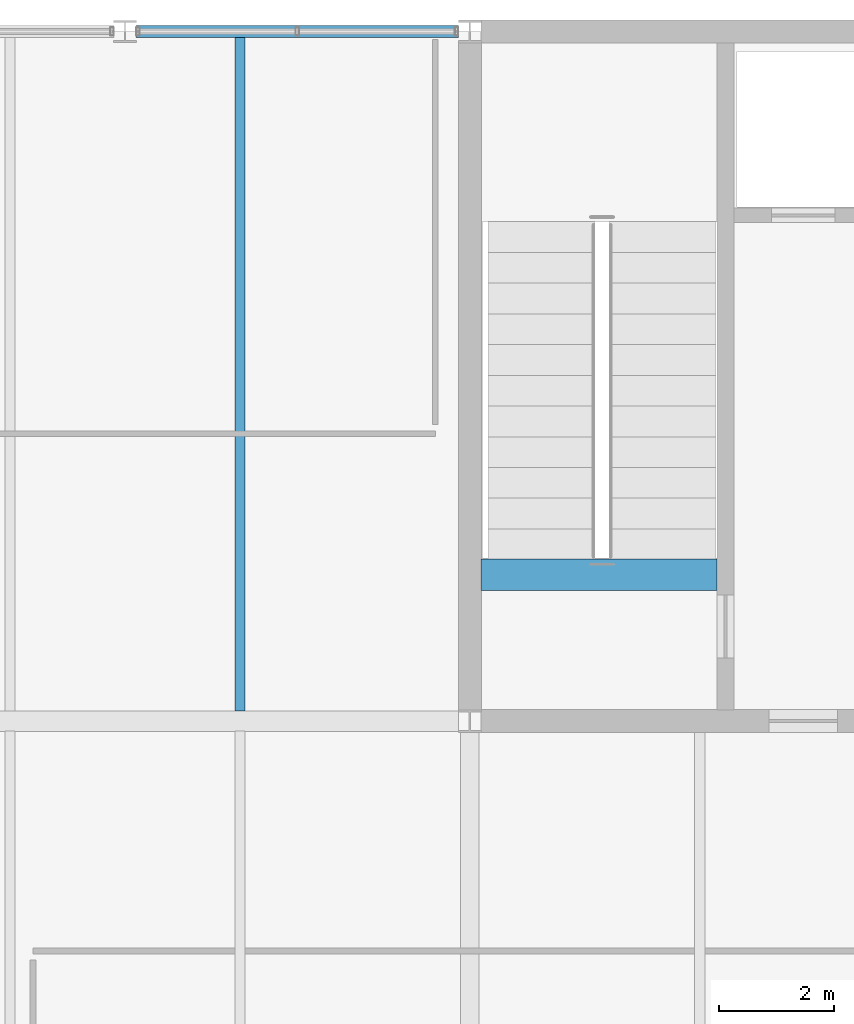
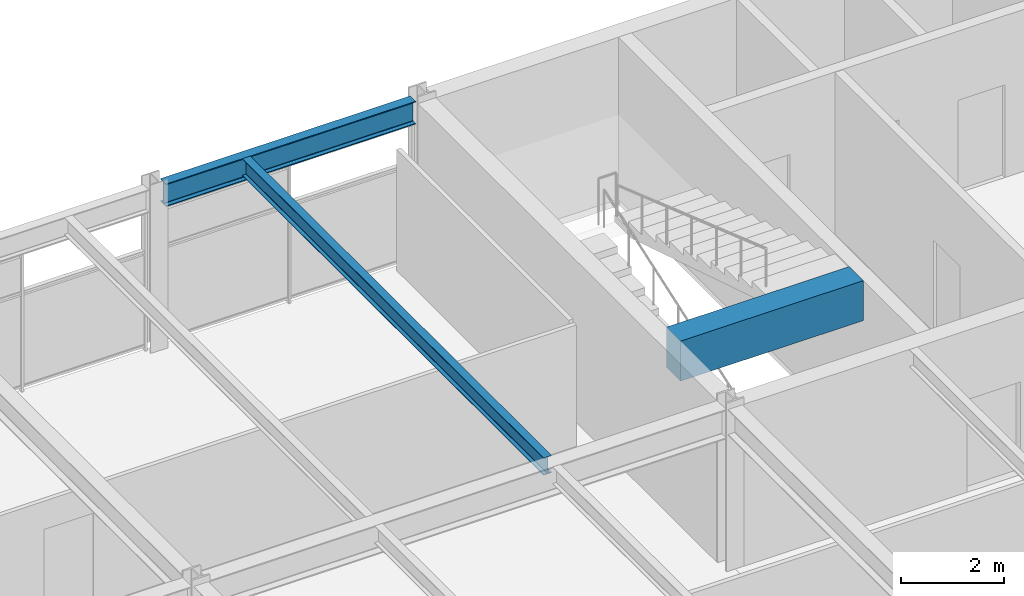
# One storey, part 36 of 52: 3 beams.
"""IFC4 building model written with IfcOpenShell, lengths in metres."""

from ifc_helpers import new_model, si_unit, direction, frame, origin, origin_2d, place, context, subcontext, project, spatial, rectangle, i_section, extrude, material, material_profile, profile_set, type_object, element, save


model = new_model("IFC4")

# Units and contexts
model_context = context("Model", 3, precision=1e-05, world=origin(), true_north=direction((0.0, 1.0)))
body_context = subcontext(model_context, "Body", "Model", "MODEL_VIEW")
ifc_project = project(units=[si_unit("LENGTHUNIT", "METRE"), si_unit("AREAUNIT", "SQUARE_METRE"), si_unit("VOLUMEUNIT", "CUBIC_METRE"), si_unit("PLANEANGLEUNIT", "RADIAN"), si_unit("MASSUNIT", "GRAM", prefix="KILO")], contexts=[model_context])

# Site, building, storey
site_placement = place(None, origin())
site = spatial("IfcSite", under=ifc_project, at=site_placement, CompositionType="ELEMENT")
building_placement = place(site_placement, origin())
building = spatial("IfcBuilding", under=site, at=building_placement, Name="Girod Span Mobility Hub", CompositionType="ELEMENT")
storey_placement = place(building_placement, frame((0.0, 0.0, 45.60009765625)))
storey = spatial("IfcBuildingStorey", under=building, at=storey_placement, Name="L11", CompositionType="ELEMENT", Elevation=45.60009765625)

# Beams
ifc_material_1 = material(Name="Concrete C40/50", Category="concrete")
ifc_material_profile_1 = material_profile(ifc_material_1, rectangle(XDim=0.550048828125, YDim=0.949951171875, at=origin_2d()), Name="RK-550X950")
ifc_profile_set_1 = profile_set([ifc_material_profile_1], Name="Concrete C40/50")
beam_type_1 = type_object("IfcBeamType", Name="BM-RK-550X950", PredefinedType="BEAM", material=ifc_profile_set_1)
beam_1_placement = place(storey_placement, frame((108.197021484375, 59.550048828125, 3.364990234375), z_axis=(1.0, 0.0, 0.0), x_axis=(0.0, 1.0, 0.0)))
element("IfcBeam", 1, at=beam_1_placement, inside=storey, type_object=beam_type_1, Name="Stair ST-2 Landing Header Beam L11", PredefinedType="BEAM", context=body_context, shape_type="SweptSolid", body=[
    extrude(rectangle(XDim=0.550048828125, YDim=0.949951171875, at=origin_2d()), origin(), (0.0, 0.0, 1.0), 4.10595703125),
])
ifc_material_2 = material(Name="Steel A992 Grade 50", Category="steel")
ifc_material_profile_2 = material_profile(ifc_material_2, i_section(OverallWidth=0.178955078125, OverallDepth=0.409912109375, WebThickness=0.0087890625, FlangeThickness=0.014404296875, FilletRadius=0.012939453125, at=origin_2d()), Name="W16X45")
ifc_profile_set_2 = profile_set([ifc_material_profile_2], Name="Steel A992 Grade 50")
beam_type_2 = type_object("IfcBeamType", Name="BM-STL-W16X45", PredefinedType="BEAM", material=ifc_profile_set_2)
beam_2_placement = place(storey_placement, frame((104.0, 57.174560546875, 3.635009765625), z_axis=(0.0, 1.0, 0.0), x_axis=(-1.0, 0.0, 0.0)))
element("IfcBeam", 2, at=beam_2_placement, inside=storey, type_object=beam_type_2, Name="Composite Floorbeam 9/E-2 L11", PredefinedType="BEAM", context=body_context, shape_type="SweptSolid", body=[
    extrude(i_section(OverallWidth=0.178955078125, OverallDepth=0.409912109375, WebThickness=0.0087890625, FlangeThickness=0.014404296875, FilletRadius=0.012939453125, at=origin_2d()), origin(), (0.0, 0.0, 1.0), 11.722412109375),
])
ifc_material_3 = material(Name="Steel A992 Grade 50", Category="steel")
ifc_material_profile_3 = material_profile(ifc_material_3, i_section(OverallWidth=0.2119140625, OverallDepth=0.5439453125, WebThickness=0.01318359375, FlangeThickness=0.021240234375, FilletRadius=0.014892578125, at=origin_2d()), Name="W21X83")
ifc_profile_set_3 = profile_set([ifc_material_profile_3], Name="Steel A992 Grade 50")
beam_type_3 = type_object("IfcBeamType", Name="BM-STL-W21X83", PredefinedType="SPANDREL", material=ifc_profile_set_3)
beam_3_placement = place(storey_placement, frame((102.194091796875, 69.0, 3.56787109375), z_axis=(1.0, 0.0, 0.0), x_axis=(0.0, 1.0, 0.0)))
element("IfcBeam", 3, at=beam_3_placement, inside=storey, type_object=beam_type_3, Name="Spandrel Beam 9-10/F-E L11", PredefinedType="SPANDREL", context=body_context, shape_type="SweptSolid", body=[
    extrude(i_section(OverallWidth=0.2119140625, OverallDepth=0.5439453125, WebThickness=0.01318359375, FlangeThickness=0.021240234375, FilletRadius=0.014892578125, at=origin_2d()), origin(), (0.0, 0.0, 1.0), 5.609375),
])

save(model, "model.ifc")
